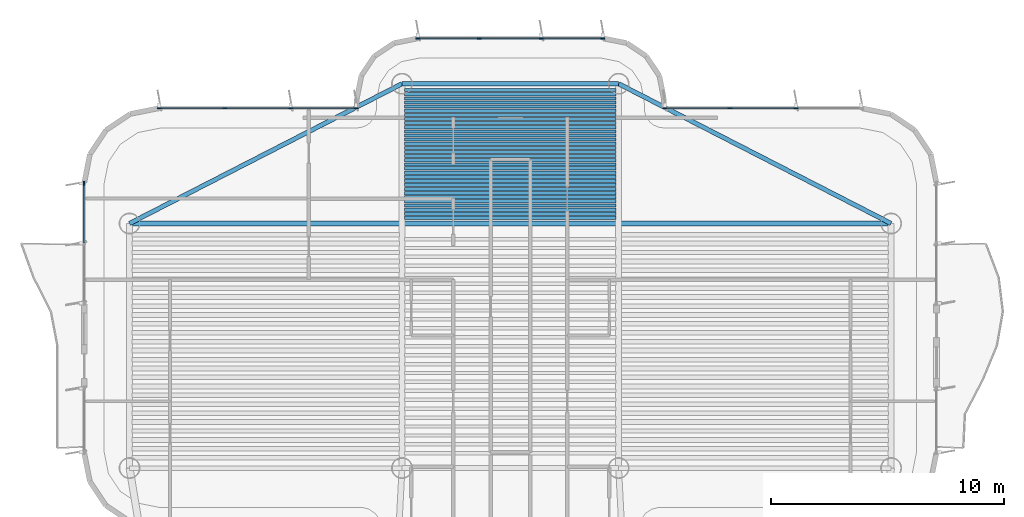
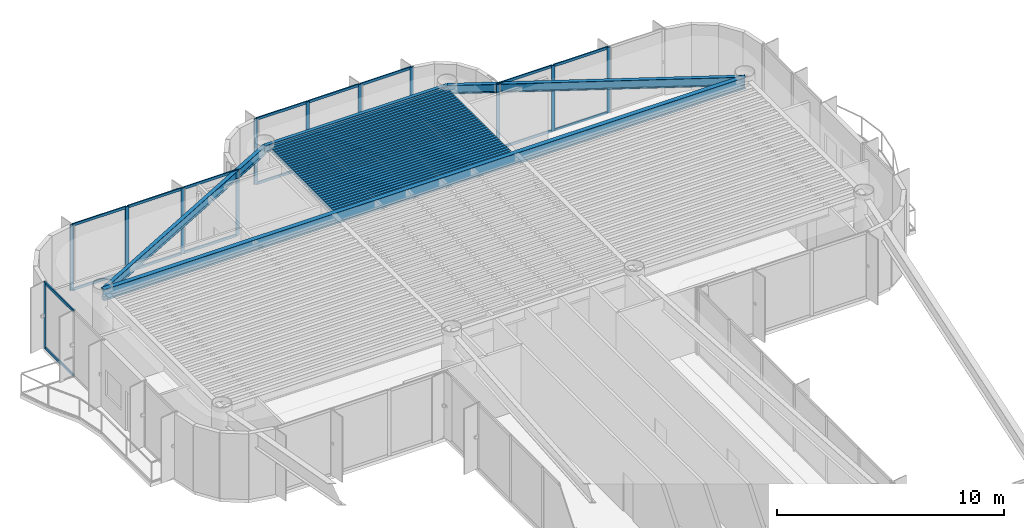
# One storey, part 7 of 15: 36 beams, 30 members, 4 elements without a shape of their own.
"""IFC4 building model written with IfcOpenShell, lengths in metres."""

from ifc_helpers import new_model, si_unit, direction, frame, origin, origin_2d, place, context, subcontext, project, spatial, rectangle, i_section, extrude, source, transform, mapped, material, layer, layer_set, material_profile, profile_set, type_object, element, aggregate, save


model = new_model("IFC4")

# Units and contexts
model_context = context("Model", 3, precision=1e-05, world=origin(), true_north=direction((0.0, 1.0)))
body_context = subcontext(model_context, "Body", "Model", "MODEL_VIEW")
ifc_project = project(units=[si_unit("LENGTHUNIT", "METRE"), si_unit("AREAUNIT", "SQUARE_METRE"), si_unit("VOLUMEUNIT", "CUBIC_METRE"), si_unit("PLANEANGLEUNIT", "RADIAN"), si_unit("MASSUNIT", "GRAM", prefix="KILO")], contexts=[model_context])

# Site, building, storey
site_placement = place(None, origin())
site = spatial("IfcSite", under=ifc_project, at=site_placement, CompositionType="ELEMENT")
building_placement = place(site_placement, origin())
building = spatial("IfcBuilding", under=site, at=building_placement, Name="Brelvock Crest Care Tower", CompositionType="ELEMENT")
storey_placement = place(building_placement, frame((0.0, 0.0, 272.159912109375)))
storey = spatial("IfcBuildingStorey", under=building, at=storey_placement, Name="L69", CompositionType="ELEMENT", Elevation=272.159912109375)

# Beams
ifc_material_1 = material(Name="Steel Grade 350", Category="steel")
ifc_material_profile_1 = material_profile(ifc_material_1, i_section(OverallWidth=0.177978515625, OverallDepth=0.406005859375, WebThickness=0.0078125, FlangeThickness=0.0126953125, FilletRadius=0.011474609375, at=origin_2d()), Name="410UB59.7")
ifc_profile_set_1 = profile_set([ifc_material_profile_1], Name="Steel Grade 350")
beam_type_1 = type_object("IfcBeamType", Name="BM-SP1", PredefinedType="SPANDREL", material=ifc_profile_set_1)
shared_shape_1 = source(origin(), body_context, "Body", "SweptSolid", [
    extrude(i_section(OverallWidth=0.177978515625, OverallDepth=0.406005859375, WebThickness=0.0078125, FlangeThickness=0.0126953125, FilletRadius=0.011474609375, at=origin_2d()), origin(), (0.0, 0.0, 1.0), 9.2998046875),
])
beam_1_placement = place(storey_placement, frame((31.35009765625, 60.449951171875, 3.3271484375), z_axis=(1.0, 0.0, 0.0), x_axis=(0.0, 1.0, 0.0)))
element("IfcBeam", 1, at=beam_1_placement, inside=storey, type_object=beam_type_1, Name="BM-TWR-L69-08", PredefinedType="SPANDREL", context=body_context, shape_type="MappedRepresentation", body=[
    mapped(shared_shape_1, transform((0.0, 0.0, 0.0), x_axis=(1.0, 0.0, 0.0), y_axis=(0.0, 1.0, 0.0), z_axis=(0.0, 0.0, 1.0), scale=1.0)),
])
ifc_material_profile_2 = material_profile(ifc_material_1, i_section(OverallWidth=0.14599609375, OverallDepth=0.256103515625, WebThickness=0.00634765625, FlangeThickness=0.010986328125, FilletRadius=0.0087890625, at=origin_2d()), Name="250UB37.3")
ifc_profile_set_2 = profile_set([ifc_material_profile_2], Name="Steel Grade 350")
beam_type_2 = type_object("IfcBeamType", Name="BM-J3", PredefinedType="JOIST", material=ifc_profile_set_2)
shared_shape_2 = source(origin(), body_context, "Body", "SweptSolid", [
    extrude(i_section(OverallWidth=0.14599609375, OverallDepth=0.256103515625, WebThickness=0.00634765625, FlangeThickness=0.010986328125, FilletRadius=0.0087890625, at=origin_2d()), origin(), (0.0, 0.0, 1.0), 9.06982421875),
])
for number, where, z_axis, x_axis, name in (
    (2, (31.465087890625, 54.68994140625, 3.402099609375), (1.0, 0.0, 0.0), (0.0, 1.0, 0.0), "BM-JN-L69-1"),
    (3, (31.465087890625, 54.866943359375, 3.402099609375), (1.0, 0.0, 0.0), (0.0, 1.0, 0.0), "BM-JN-L69-2"),
    (4, (31.465087890625, 55.0439453125, 3.402099609375), (1.0, 0.0, 0.0), (0.0, 1.0, 0.0), "BM-JN-L69-3"),
    (5, (31.465087890625, 55.220947265625, 3.402099609375), (1.0, 0.0, 0.0), (0.0, 1.0, 0.0), "BM-JN-L69-4"),
    (6, (31.465087890625, 55.39794921875, 3.402099609375), (1.0, 0.0, 0.0), (0.0, 1.0, 0.0), "BM-JN-L69-5"),
    (7, (31.465087890625, 55.574951171875, 3.402099609375), (1.0, 0.0, 0.0), (0.0, 1.0, 0.0), "BM-JN-L69-6"),
    (8, (31.465087890625, 55.751953125, 3.402099609375), (1.0, 0.0, 0.0), (0.0, 1.0, 0.0), "BM-JN-L69-7"),
    (9, (31.465087890625, 55.928955078125, 3.402099609375), (1.0, 0.0, 0.0), (0.0, 1.0, 0.0), "BM-JN-L69-8"),
    (10, (31.465087890625, 56.10595703125, 3.402099609375), (1.0, 0.0, 0.0), (0.0, 1.0, 0.0), "BM-JN-L69-9"),
    (11, (31.465087890625, 56.282958984375, 3.402099609375), (1.0, 0.0, 0.0), (0.0, 1.0, 0.0), "BM-JN-L69-10"),
    (12, (31.465087890625, 56.4599609375, 3.402099609375), (1.0, 0.0, 0.0), (0.0, 1.0, 0.0), "BM-JN-L69-11"),
    (13, (31.465087890625, 56.636962890625, 3.402099609375), (1.0, 0.0, 0.0), (0.0, 1.0, 0.0), "BM-JN-L69-12"),
    (14, (31.465087890625, 56.81396484375, 3.402099609375), (1.0, 0.0, 0.0), (0.0, 1.0, 0.0), "BM-JN-L69-13"),
):
    element("IfcBeam", number, at=place(storey_placement, frame(where, z_axis=z_axis, x_axis=x_axis)), inside=storey, type_object=beam_type_2, Name=name, PredefinedType="JOIST", context=body_context, shape_type="MappedRepresentation", body=[
        mapped(shared_shape_2, transform((0.0, 0.0, 0.0), x_axis=(1.0, 0.0, 0.0), y_axis=(0.0, 1.0, 0.0), z_axis=(0.0, 0.0, 1.0), scale=1.0)),
    ])
ifc_material_profile_3 = material_profile(ifc_material_1, i_section(OverallWidth=0.134033203125, OverallDepth=0.20703125, WebThickness=0.00634765625, FlangeThickness=0.009521484375, FilletRadius=0.0087890625, at=origin_2d()), Name="200UB29.8")
ifc_profile_set_3 = profile_set([ifc_material_profile_3], Name="Steel Grade 350")
beam_type_3 = type_object("IfcBeamType", Name="BM-J4", PredefinedType="JOIST", material=ifc_profile_set_3)
shared_shape_3 = source(origin(), body_context, "Body", "SweptSolid", [
    extrude(i_section(OverallWidth=0.134033203125, OverallDepth=0.20703125, WebThickness=0.00634765625, FlangeThickness=0.009521484375, FilletRadius=0.0087890625, at=origin_2d()), origin(), (0.0, 0.0, 1.0), 9.06982421875),
])
for number, where, z_axis, x_axis, name in (
    (15, (31.465087890625, 56.990966796875, 3.426513671875), (1.0, 0.0, 0.0), (0.0, 1.0, 0.0), "BM-JN-L69-14"),
    (16, (31.465087890625, 57.16796875, 3.426513671875), (1.0, 0.0, 0.0), (0.0, 1.0, 0.0), "BM-JN-L69-15"),
    (17, (31.465087890625, 57.344970703125, 3.426513671875), (1.0, 0.0, 0.0), (0.0, 1.0, 0.0), "BM-JN-L69-16"),
    (18, (31.465087890625, 57.52197265625, 3.426513671875), (1.0, 0.0, 0.0), (0.0, 1.0, 0.0), "BM-JN-L69-17"),
    (19, (31.465087890625, 57.698974609375, 3.426513671875), (1.0, 0.0, 0.0), (0.0, 1.0, 0.0), "BM-JN-L69-18"),
    (20, (31.465087890625, 57.8759765625, 3.426513671875), (1.0, 0.0, 0.0), (0.0, 1.0, 0.0), "BM-JN-L69-19"),
    (21, (31.465087890625, 58.052978515625, 3.426513671875), (1.0, 0.0, 0.0), (0.0, 1.0, 0.0), "BM-JN-L69-20"),
    (22, (31.465087890625, 58.22998046875, 3.426513671875), (1.0, 0.0, 0.0), (0.0, 1.0, 0.0), "BM-JN-L69-21"),
    (23, (31.465087890625, 58.406982421875, 3.426513671875), (1.0, 0.0, 0.0), (0.0, 1.0, 0.0), "BM-JN-L69-22"),
    (24, (31.465087890625, 58.583984375, 3.426513671875), (1.0, 0.0, 0.0), (0.0, 1.0, 0.0), "BM-JN-L69-23"),
    (25, (31.465087890625, 58.760986328125, 3.426513671875), (1.0, 0.0, 0.0), (0.0, 1.0, 0.0), "BM-JN-L69-24"),
    (26, (31.465087890625, 58.93798828125, 3.426513671875), (1.0, 0.0, 0.0), (0.0, 1.0, 0.0), "BM-JN-L69-25"),
    (27, (31.465087890625, 59.114990234375, 3.426513671875), (1.0, 0.0, 0.0), (0.0, 1.0, 0.0), "BM-JN-L69-26"),
    (28, (31.465087890625, 59.2919921875, 3.426513671875), (1.0, 0.0, 0.0), (0.0, 1.0, 0.0), "BM-JN-L69-27"),
    (29, (31.465087890625, 59.468994140625, 3.426513671875), (1.0, 0.0, 0.0), (0.0, 1.0, 0.0), "BM-JN-L69-28"),
    (30, (31.465087890625, 59.64599609375, 3.426513671875), (1.0, 0.0, 0.0), (0.0, 1.0, 0.0), "BM-JN-L69-29"),
    (31, (31.465087890625, 59.822998046875, 3.426513671875), (1.0, 0.0, 0.0), (0.0, 1.0, 0.0), "BM-JN-L69-30"),
    (32, (31.465087890625, 60.0, 3.426513671875), (1.0, 0.0, 0.0), (0.0, 1.0, 0.0), "BM-JN-L69-31"),
    (33, (31.465087890625, 60.177001953125, 3.426513671875), (1.0, 0.0, 0.0), (0.0, 1.0, 0.0), "BM-JN-L69-32"),
):
    element("IfcBeam", number, at=place(storey_placement, frame(where, z_axis=z_axis, x_axis=x_axis)), inside=storey, type_object=beam_type_3, Name=name, PredefinedType="JOIST", context=body_context, shape_type="MappedRepresentation", body=[
        mapped(shared_shape_3, transform((0.0, 0.0, 0.0), x_axis=(1.0, 0.0, 0.0), y_axis=(0.0, 1.0, 0.0), z_axis=(0.0, 0.0, 1.0), scale=1.0)),
    ])
ifc_material_profile_4 = material_profile(ifc_material_1, i_section(OverallWidth=0.19091796875, OverallDepth=0.4599609375, WebThickness=0.010009765625, FlangeThickness=0.01611328125, FilletRadius=0.011474609375, at=origin_2d()), Name="460UB82.1")
ifc_profile_set_4 = profile_set([ifc_material_profile_4], Name="Steel Grade 350")
beam_type_4 = type_object("IfcBeamType", Name="BM-SP2", PredefinedType="SPANDREL", material=ifc_profile_set_4)
shared_shape_4 = source(origin(), body_context, "Body", "SweptSolid", [
    extrude(i_section(OverallWidth=0.19091796875, OverallDepth=0.4599609375, WebThickness=0.010009765625, FlangeThickness=0.01611328125, FilletRadius=0.011474609375, at=origin_2d()), origin(), (0.0, 0.0, 1.0), 13.14892578125),
])
for number, where, z_axis, x_axis, name in (
    (34, (19.64990234375, 54.449951171875, 3.300048828125), (0.889820555736, 0.456310616346, 0.0), (-0.456310616346, 0.889820555736, 0.0), "BM-TWR-L69-06"),
    (35, (40.64990234375, 60.449951171875, 3.300048828125), (0.889820555736, -0.456310616346, 0.0), (0.456310616346, 0.889820555736, 0.0), "BM-TWR-L69-07"),
):
    element("IfcBeam", number, at=place(storey_placement, frame(where, z_axis=z_axis, x_axis=x_axis)), inside=storey, type_object=beam_type_4, Name=name, PredefinedType="SPANDREL", context=body_context, shape_type="MappedRepresentation", body=[
        mapped(shared_shape_4, transform((0.0, 0.0, 0.0), x_axis=(1.0, 0.0, 0.0), y_axis=(0.0, 1.0, 0.0), z_axis=(0.0, 0.0, 1.0), scale=1.0)),
    ])
ifc_material_profile_5 = material_profile(ifc_material_1, i_section(OverallWidth=0.22900390625, OverallDepth=0.612060546875, WebThickness=0.011962890625, FlangeThickness=0.01953125, FilletRadius=0.013916015625, at=origin_2d()), Name="610UB125")
ifc_profile_set_5 = profile_set([ifc_material_profile_5], Name="Steel Grade 350")
beam_type_5 = type_object("IfcBeamType", Name="BM-G1", PredefinedType="BEAM", material=ifc_profile_set_5)
shared_shape_5 = source(origin(), body_context, "Body", "SweptSolid", [
    extrude(i_section(OverallWidth=0.22900390625, OverallDepth=0.612060546875, WebThickness=0.011962890625, FlangeThickness=0.01953125, FilletRadius=0.013916015625, at=origin_2d()), origin(), (0.0, 0.0, 1.0), 32.7001953125),
])
beam_2_placement = place(storey_placement, frame((19.64990234375, 54.449951171875, 3.22412109375), z_axis=(1.0, 0.0, 0.0), x_axis=(0.0, 1.0, 0.0)))
element("IfcBeam", 36, at=beam_2_placement, inside=storey, type_object=beam_type_5, Name="BM-TWR-L69-11", PredefinedType="BEAM", context=body_context, shape_type="MappedRepresentation", body=[
    mapped(shared_shape_5, transform((0.0, 0.0, 0.0), x_axis=(1.0, 0.0, 0.0), y_axis=(0.0, 1.0, 0.0), z_axis=(0.0, 0.0, 1.0), scale=1.0)),
])

# Curtain wall, member
ifc_material_2 = material(Name="Dark Glass Double Glazed Low-E", Category="glass")
ifc_layer = layer(ifc_material_2, 0.239990234375, Name="CWS-5")
ifc_layer_set = layer_set([ifc_layer], Name="Dark Glass Double Glazed Low-E")
curtain_wall_type = type_object("IfcCurtainWallType", Name="CWS-5", PredefinedType="NOTDEFINED", material=ifc_layer_set)
curtain_wall_1_placement = place(storey_placement, origin())
curtain_wall_1 = element("IfcCurtainWall", 37, at=curtain_wall_1_placement, inside=storey, type_object=curtain_wall_type, Name="L69 Curtain Wall E17B", PredefinedType="NOTDEFINED")
ifc_material_3 = material(Name="Aluminium 6063-T6", Category="aluminium")
ifc_material_profile_6 = material_profile(ifc_material_3, rectangle(XDim=0.06005859375, YDim=0.179931640625, at=origin_2d()), Name="ALU60x180")
ifc_profile_set_6 = profile_set([ifc_material_profile_6], Name="Aluminium 6063-T6")
member_type_1 = type_object("IfcMemberType", Name="CWM-2", PredefinedType="MULLION", material=ifc_profile_set_6)
shared_shape_6 = source(origin(), body_context, "Body", "SweptSolid", [
    extrude(rectangle(XDim=0.06005859375, YDim=0.179931640625, at=origin_2d()), origin(), (0.0, 0.0, 1.0), 3.530029296875),
])
member_1_placement = place(storey_placement, frame((17.699951171875, 56.169921875, 0.0), z_axis=(0.0, 0.0, 1.0), x_axis=(-1.0, 0.0, 0.0)))
member_1 = element("IfcMember", 38, at=member_1_placement, type_object=member_type_1, Name="CW-5 mullion 3", PredefinedType="MULLION", context=body_context, shape_type="MappedRepresentation", body=[
    mapped(shared_shape_6, transform((0.0, 0.0, 0.0), x_axis=(1.0, 0.0, 0.0), y_axis=(0.0, 1.0, 0.0), z_axis=(0.0, 0.0, 1.0), scale=1.0)),
])

# Curtain wall, members
curtain_wall_2_placement = place(storey_placement, origin())
curtain_wall_2 = element("IfcCurtainWall", 39, at=curtain_wall_2_placement, inside=storey, type_object=curtain_wall_type, Name="L69 Curtain Wall E22", PredefinedType="NOTDEFINED")
member_2_placement = place(storey_placement, frame((20.929931640625, 59.39990234375, 0.0), z_axis=(0.0, 0.0, 1.0), x_axis=(0.0, 1.0, 0.0)))
member_2 = element("IfcMember", 40, at=member_2_placement, type_object=member_type_1, Name="CW-5 mullion 1", PredefinedType="MULLION", context=body_context, shape_type="MappedRepresentation", body=[
    mapped(shared_shape_6, transform((0.0, 0.0, 0.0), x_axis=(1.0, 0.0, 0.0), y_axis=(0.0, 1.0, 0.0), z_axis=(0.0, 0.0, 1.0), scale=1.0)),
])
member_3_placement = place(storey_placement, frame((23.7333984375, 59.39990234375, 0.0), z_axis=(0.0, 0.0, 1.0), x_axis=(0.0, 1.0, 0.0)))
member_3 = element("IfcMember", 41, at=member_3_placement, type_object=member_type_1, Name="CW-5 mullion 2", PredefinedType="MULLION", context=body_context, shape_type="MappedRepresentation", body=[
    mapped(shared_shape_6, transform((0.0, 0.0, 0.0), x_axis=(1.0, 0.0, 0.0), y_axis=(0.0, 1.0, 0.0), z_axis=(0.0, 0.0, 1.0), scale=1.0)),
])
member_4_placement = place(storey_placement, frame((26.566650390625, 59.39990234375, 0.0), z_axis=(0.0, 0.0, 1.0), x_axis=(0.0, 1.0, 0.0)))
member_4 = element("IfcMember", 42, at=member_4_placement, type_object=member_type_1, Name="CW-5 mullion 3", PredefinedType="MULLION", context=body_context, shape_type="MappedRepresentation", body=[
    mapped(shared_shape_6, transform((0.0, 0.0, 0.0), x_axis=(1.0, 0.0, 0.0), y_axis=(0.0, 1.0, 0.0), z_axis=(0.0, 0.0, 1.0), scale=1.0)),
])
member_5_placement = place(storey_placement, frame((29.3701171875, 59.39990234375, 0.0), z_axis=(0.0, 0.0, 1.0), x_axis=(0.0, 1.0, 0.0)))
member_5 = element("IfcMember", 43, at=member_5_placement, type_object=member_type_1, Name="CW-5 mullion 4", PredefinedType="MULLION", context=body_context, shape_type="MappedRepresentation", body=[
    mapped(shared_shape_6, transform((0.0, 0.0, 0.0), x_axis=(1.0, 0.0, 0.0), y_axis=(0.0, 1.0, 0.0), z_axis=(0.0, 0.0, 1.0), scale=1.0)),
])

curtain_wall_3_placement = place(storey_placement, origin())
curtain_wall_3 = element("IfcCurtainWall", 44, at=curtain_wall_3_placement, inside=storey, type_object=curtain_wall_type, Name="L69 Curtain Wall E28", PredefinedType="NOTDEFINED")
member_6_placement = place(storey_placement, frame((32.030029296875, 62.39990234375, 0.0), z_axis=(0.0, 0.0, 1.0), x_axis=(0.0, 1.0, 0.0)))
member_6 = element("IfcMember", 45, at=member_6_placement, type_object=member_type_1, Name="CW-5 mullion 1", PredefinedType="MULLION", context=body_context, shape_type="MappedRepresentation", body=[
    mapped(shared_shape_6, transform((0.0, 0.0, 0.0), x_axis=(1.0, 0.0, 0.0), y_axis=(0.0, 1.0, 0.0), z_axis=(0.0, 0.0, 1.0), scale=1.0)),
])
member_7_placement = place(storey_placement, frame((34.666748046875, 62.39990234375, 0.0), z_axis=(0.0, 0.0, 1.0), x_axis=(0.0, 1.0, 0.0)))
member_7 = element("IfcMember", 46, at=member_7_placement, type_object=member_type_1, Name="CW-5 mullion 2", PredefinedType="MULLION", context=body_context, shape_type="MappedRepresentation", body=[
    mapped(shared_shape_6, transform((0.0, 0.0, 0.0), x_axis=(1.0, 0.0, 0.0), y_axis=(0.0, 1.0, 0.0), z_axis=(0.0, 0.0, 1.0), scale=1.0)),
])
member_8_placement = place(storey_placement, frame((37.333251953125, 62.39990234375, 0.0), z_axis=(0.0, 0.0, 1.0), x_axis=(0.0, 1.0, 0.0)))
member_8 = element("IfcMember", 47, at=member_8_placement, type_object=member_type_1, Name="CW-5 mullion 3", PredefinedType="MULLION", context=body_context, shape_type="MappedRepresentation", body=[
    mapped(shared_shape_6, transform((0.0, 0.0, 0.0), x_axis=(1.0, 0.0, 0.0), y_axis=(0.0, 1.0, 0.0), z_axis=(0.0, 0.0, 1.0), scale=1.0)),
])
member_9_placement = place(storey_placement, frame((39.969970703125, 62.39990234375, 0.0), z_axis=(0.0, 0.0, 1.0), x_axis=(0.0, 1.0, 0.0)))
member_9 = element("IfcMember", 48, at=member_9_placement, type_object=member_type_1, Name="CW-5 mullion 4", PredefinedType="MULLION", context=body_context, shape_type="MappedRepresentation", body=[
    mapped(shared_shape_6, transform((0.0, 0.0, 0.0), x_axis=(1.0, 0.0, 0.0), y_axis=(0.0, 1.0, 0.0), z_axis=(0.0, 0.0, 1.0), scale=1.0)),
])

curtain_wall_4_placement = place(storey_placement, origin())
curtain_wall_4 = element("IfcCurtainWall", 49, at=curtain_wall_4_placement, inside=storey, type_object=curtain_wall_type, Name="L69 Curtain Wall E34", PredefinedType="NOTDEFINED")
member_10_placement = place(storey_placement, frame((42.6298828125, 59.39990234375, 0.0), z_axis=(0.0, 0.0, 1.0), x_axis=(0.0, 1.0, 0.0)))
member_10 = element("IfcMember", 50, at=member_10_placement, type_object=member_type_1, Name="CW-5 mullion 1", PredefinedType="MULLION", context=body_context, shape_type="MappedRepresentation", body=[
    mapped(shared_shape_6, transform((0.0, 0.0, 0.0), x_axis=(1.0, 0.0, 0.0), y_axis=(0.0, 1.0, 0.0), z_axis=(0.0, 0.0, 1.0), scale=1.0)),
])
member_11_placement = place(storey_placement, frame((45.433349609375, 59.39990234375, 0.0), z_axis=(0.0, 0.0, 1.0), x_axis=(0.0, 1.0, 0.0)))
member_11 = element("IfcMember", 51, at=member_11_placement, type_object=member_type_1, Name="CW-5 mullion 2", PredefinedType="MULLION", context=body_context, shape_type="MappedRepresentation", body=[
    mapped(shared_shape_6, transform((0.0, 0.0, 0.0), x_axis=(1.0, 0.0, 0.0), y_axis=(0.0, 1.0, 0.0), z_axis=(0.0, 0.0, 1.0), scale=1.0)),
])
member_12_placement = place(storey_placement, frame((48.2666015625, 59.39990234375, 0.0), z_axis=(0.0, 0.0, 1.0), x_axis=(0.0, 1.0, 0.0)))
member_12 = element("IfcMember", 52, at=member_12_placement, type_object=member_type_1, Name="CW-5 mullion 3", PredefinedType="MULLION", context=body_context, shape_type="MappedRepresentation", body=[
    mapped(shared_shape_6, transform((0.0, 0.0, 0.0), x_axis=(1.0, 0.0, 0.0), y_axis=(0.0, 1.0, 0.0), z_axis=(0.0, 0.0, 1.0), scale=1.0)),
])

# Member
ifc_material_profile_7 = material_profile(ifc_material_3, rectangle(XDim=0.06005859375, YDim=0.139892578125, at=origin_2d()), Name="ALU60x140")
ifc_profile_set_7 = profile_set([ifc_material_profile_7], Name="Aluminium 6063-T6")
member_type_2 = type_object("IfcMemberType", Name="CWT-2", PredefinedType="USERDEFINED", material=ifc_profile_set_7)
shared_shape_7 = source(origin(), body_context, "Body", "SweptSolid", [
    extrude(rectangle(XDim=0.06005859375, YDim=0.139892578125, at=origin_2d()), origin(), (0.0, 0.0, 1.0), 2.57666015625),
])
member_13_placement = place(storey_placement, frame((32.06005859375, 62.39990234375, 0.030029296875), z_axis=(1.0, 0.0, 0.0), x_axis=(0.0, 1.0, 0.0)))
member_13 = element("IfcMember", 53, at=member_13_placement, type_object=member_type_2, Name="CW-5 transom 1.1", ObjectType="TRANSOM", PredefinedType="USERDEFINED", context=body_context, shape_type="MappedRepresentation", body=[
    mapped(shared_shape_7, transform((0.0, 0.0, 0.0), x_axis=(1.0, 0.0, 0.0), y_axis=(0.0, 1.0, 0.0), z_axis=(0.0, 0.0, 1.0), scale=1.0)),
])

member_14_placement = place(storey_placement, frame((32.06005859375, 62.39990234375, 3.5), z_axis=(1.0, 0.0, 0.0), x_axis=(0.0, 1.0, 0.0)))
member_14 = element("IfcMember", 54, at=member_14_placement, type_object=member_type_2, Name="CW-5 transom 1.2", ObjectType="TRANSOM", PredefinedType="USERDEFINED", context=body_context, shape_type="MappedRepresentation", body=[
    mapped(shared_shape_7, transform((0.0, 0.0, 0.0), x_axis=(1.0, 0.0, 0.0), y_axis=(0.0, 1.0, 0.0), z_axis=(0.0, 0.0, 1.0), scale=1.0)),
])

member_15_placement = place(storey_placement, frame((37.36328125, 62.39990234375, 0.030029296875), z_axis=(1.0, 0.0, 0.0), x_axis=(0.0, 1.0, 0.0)))
member_15 = element("IfcMember", 55, at=member_15_placement, type_object=member_type_2, Name="CW-5 transom 3.1", ObjectType="TRANSOM", PredefinedType="USERDEFINED", context=body_context, shape_type="MappedRepresentation", body=[
    mapped(shared_shape_7, transform((0.0, 0.0, 0.0), x_axis=(1.0, 0.0, 0.0), y_axis=(0.0, 1.0, 0.0), z_axis=(0.0, 0.0, 1.0), scale=1.0)),
])

member_16_placement = place(storey_placement, frame((37.36328125, 62.39990234375, 3.5), z_axis=(1.0, 0.0, 0.0), x_axis=(0.0, 1.0, 0.0)))
member_16 = element("IfcMember", 56, at=member_16_placement, type_object=member_type_2, Name="CW-5 transom 3.2", ObjectType="TRANSOM", PredefinedType="USERDEFINED", context=body_context, shape_type="MappedRepresentation", body=[
    mapped(shared_shape_7, transform((0.0, 0.0, 0.0), x_axis=(1.0, 0.0, 0.0), y_axis=(0.0, 1.0, 0.0), z_axis=(0.0, 0.0, 1.0), scale=1.0)),
])

shared_shape_8 = source(origin(), body_context, "Body", "SweptSolid", [
    extrude(rectangle(XDim=0.06005859375, YDim=0.139892578125, at=origin_2d()), origin(), (0.0, 0.0, 1.0), 2.510009765625),
])
member_17_placement = place(storey_placement, frame((17.699951171875, 53.6298828125, 0.030029296875), z_axis=(0.0, 1.0, 0.0), x_axis=(-1.0, 0.0, 0.0)))
member_17 = element("IfcMember", 57, at=member_17_placement, type_object=member_type_2, Name="CW-5 transom 2.1", ObjectType="TRANSOM", PredefinedType="USERDEFINED", context=body_context, shape_type="MappedRepresentation", body=[
    mapped(shared_shape_8, transform((0.0, 0.0, 0.0), x_axis=(1.0, 0.0, 0.0), y_axis=(0.0, 1.0, 0.0), z_axis=(0.0, 0.0, 1.0), scale=1.0)),
])

member_18_placement = place(storey_placement, frame((17.699951171875, 53.6298828125, 3.5), z_axis=(0.0, 1.0, 0.0), x_axis=(-1.0, 0.0, 0.0)))
member_18 = element("IfcMember", 58, at=member_18_placement, type_object=member_type_2, Name="CW-5 transom 2.2", ObjectType="TRANSOM", PredefinedType="USERDEFINED", context=body_context, shape_type="MappedRepresentation", body=[
    mapped(shared_shape_8, transform((0.0, 0.0, 0.0), x_axis=(1.0, 0.0, 0.0), y_axis=(0.0, 1.0, 0.0), z_axis=(0.0, 0.0, 1.0), scale=1.0)),
])

aggregate(curtain_wall_1, [member_1, member_17, member_18])

shared_shape_9 = source(origin(), body_context, "Body", "SweptSolid", [
    extrude(rectangle(XDim=0.06005859375, YDim=0.139892578125, at=origin_2d()), origin(), (0.0, 0.0, 1.0), 2.743408203125),
])
member_19_placement = place(storey_placement, frame((20.9599609375, 59.39990234375, 0.030029296875), z_axis=(1.0, 0.0, 0.0), x_axis=(0.0, 1.0, 0.0)))
member_19 = element("IfcMember", 59, at=member_19_placement, type_object=member_type_2, Name="CW-5 transom 1.1", ObjectType="TRANSOM", PredefinedType="USERDEFINED", context=body_context, shape_type="MappedRepresentation", body=[
    mapped(shared_shape_9, transform((0.0, 0.0, 0.0), x_axis=(1.0, 0.0, 0.0), y_axis=(0.0, 1.0, 0.0), z_axis=(0.0, 0.0, 1.0), scale=1.0)),
])

member_20_placement = place(storey_placement, frame((20.9599609375, 59.39990234375, 3.5), z_axis=(1.0, 0.0, 0.0), x_axis=(0.0, 1.0, 0.0)))
member_20 = element("IfcMember", 60, at=member_20_placement, type_object=member_type_2, Name="CW-5 transom 1.2", ObjectType="TRANSOM", PredefinedType="USERDEFINED", context=body_context, shape_type="MappedRepresentation", body=[
    mapped(shared_shape_9, transform((0.0, 0.0, 0.0), x_axis=(1.0, 0.0, 0.0), y_axis=(0.0, 1.0, 0.0), z_axis=(0.0, 0.0, 1.0), scale=1.0)),
])

member_21_placement = place(storey_placement, frame((26.5966796875, 59.39990234375, 0.030029296875), z_axis=(1.0, 0.0, 0.0), x_axis=(0.0, 1.0, 0.0)))
member_21 = element("IfcMember", 61, at=member_21_placement, type_object=member_type_2, Name="CW-5 transom 3.1", ObjectType="TRANSOM", PredefinedType="USERDEFINED", context=body_context, shape_type="MappedRepresentation", body=[
    mapped(shared_shape_9, transform((0.0, 0.0, 0.0), x_axis=(1.0, 0.0, 0.0), y_axis=(0.0, 1.0, 0.0), z_axis=(0.0, 0.0, 1.0), scale=1.0)),
])

member_22_placement = place(storey_placement, frame((26.5966796875, 59.39990234375, 3.5), z_axis=(1.0, 0.0, 0.0), x_axis=(0.0, 1.0, 0.0)))
member_22 = element("IfcMember", 62, at=member_22_placement, type_object=member_type_2, Name="CW-5 transom 3.2", ObjectType="TRANSOM", PredefinedType="USERDEFINED", context=body_context, shape_type="MappedRepresentation", body=[
    mapped(shared_shape_9, transform((0.0, 0.0, 0.0), x_axis=(1.0, 0.0, 0.0), y_axis=(0.0, 1.0, 0.0), z_axis=(0.0, 0.0, 1.0), scale=1.0)),
])

member_23_placement = place(storey_placement, frame((42.659912109375, 59.39990234375, 0.030029296875), z_axis=(1.0, 0.0, 0.0), x_axis=(0.0, 1.0, 0.0)))
member_23 = element("IfcMember", 63, at=member_23_placement, type_object=member_type_2, Name="CW-5 transom 1.1", ObjectType="TRANSOM", PredefinedType="USERDEFINED", context=body_context, shape_type="MappedRepresentation", body=[
    mapped(shared_shape_9, transform((0.0, 0.0, 0.0), x_axis=(1.0, 0.0, 0.0), y_axis=(0.0, 1.0, 0.0), z_axis=(0.0, 0.0, 1.0), scale=1.0)),
])

member_24_placement = place(storey_placement, frame((42.659912109375, 59.39990234375, 3.5), z_axis=(1.0, 0.0, 0.0), x_axis=(0.0, 1.0, 0.0)))
member_24 = element("IfcMember", 64, at=member_24_placement, type_object=member_type_2, Name="CW-5 transom 1.2", ObjectType="TRANSOM", PredefinedType="USERDEFINED", context=body_context, shape_type="MappedRepresentation", body=[
    mapped(shared_shape_9, transform((0.0, 0.0, 0.0), x_axis=(1.0, 0.0, 0.0), y_axis=(0.0, 1.0, 0.0), z_axis=(0.0, 0.0, 1.0), scale=1.0)),
])

shared_shape_10 = source(origin(), body_context, "Body", "SweptSolid", [
    extrude(rectangle(XDim=0.06005859375, YDim=0.139892578125, at=origin_2d()), origin(), (0.0, 0.0, 1.0), 2.773193359375),
])
member_25_placement = place(storey_placement, frame((23.763427734375, 59.39990234375, 0.030029296875), z_axis=(1.0, 0.0, 0.0), x_axis=(0.0, 1.0, 0.0)))
member_25 = element("IfcMember", 65, at=member_25_placement, type_object=member_type_2, Name="CW-5 transom 2.1", ObjectType="TRANSOM", PredefinedType="USERDEFINED", context=body_context, shape_type="MappedRepresentation", body=[
    mapped(shared_shape_10, transform((0.0, 0.0, 0.0), x_axis=(1.0, 0.0, 0.0), y_axis=(0.0, 1.0, 0.0), z_axis=(0.0, 0.0, 1.0), scale=1.0)),
])

member_26_placement = place(storey_placement, frame((23.763427734375, 59.39990234375, 3.5), z_axis=(1.0, 0.0, 0.0), x_axis=(0.0, 1.0, 0.0)))
member_26 = element("IfcMember", 66, at=member_26_placement, type_object=member_type_2, Name="CW-5 transom 2.2", ObjectType="TRANSOM", PredefinedType="USERDEFINED", context=body_context, shape_type="MappedRepresentation", body=[
    mapped(shared_shape_10, transform((0.0, 0.0, 0.0), x_axis=(1.0, 0.0, 0.0), y_axis=(0.0, 1.0, 0.0), z_axis=(0.0, 0.0, 1.0), scale=1.0)),
])

aggregate(curtain_wall_2, [member_2, member_3, member_4, member_5, member_19, member_20, member_25, member_26, member_21, member_22])

member_27_placement = place(storey_placement, frame((45.46337890625, 59.39990234375, 0.030029296875), z_axis=(1.0, 0.0, 0.0), x_axis=(0.0, 1.0, 0.0)))
member_27 = element("IfcMember", 67, at=member_27_placement, type_object=member_type_2, Name="CW-5 transom 2.1", ObjectType="TRANSOM", PredefinedType="USERDEFINED", context=body_context, shape_type="MappedRepresentation", body=[
    mapped(shared_shape_10, transform((0.0, 0.0, 0.0), x_axis=(1.0, 0.0, 0.0), y_axis=(0.0, 1.0, 0.0), z_axis=(0.0, 0.0, 1.0), scale=1.0)),
])

member_28_placement = place(storey_placement, frame((45.46337890625, 59.39990234375, 3.5), z_axis=(1.0, 0.0, 0.0), x_axis=(0.0, 1.0, 0.0)))
member_28 = element("IfcMember", 68, at=member_28_placement, type_object=member_type_2, Name="CW-5 transom 2.2", ObjectType="TRANSOM", PredefinedType="USERDEFINED", context=body_context, shape_type="MappedRepresentation", body=[
    mapped(shared_shape_10, transform((0.0, 0.0, 0.0), x_axis=(1.0, 0.0, 0.0), y_axis=(0.0, 1.0, 0.0), z_axis=(0.0, 0.0, 1.0), scale=1.0)),
])

aggregate(curtain_wall_4, [member_10, member_11, member_12, member_23, member_24, member_27, member_28])

shared_shape_11 = source(origin(), body_context, "Body", "SweptSolid", [
    extrude(rectangle(XDim=0.06005859375, YDim=0.139892578125, at=origin_2d()), origin(), (0.0, 0.0, 1.0), 2.6064453125),
])
member_29_placement = place(storey_placement, frame((34.69677734375, 62.39990234375, 0.030029296875), z_axis=(1.0, 0.0, 0.0), x_axis=(0.0, 1.0, 0.0)))
member_29 = element("IfcMember", 69, at=member_29_placement, type_object=member_type_2, Name="CW-5 transom 2.1", ObjectType="TRANSOM", PredefinedType="USERDEFINED", context=body_context, shape_type="MappedRepresentation", body=[
    mapped(shared_shape_11, transform((0.0, 0.0, 0.0), x_axis=(1.0, 0.0, 0.0), y_axis=(0.0, 1.0, 0.0), z_axis=(0.0, 0.0, 1.0), scale=1.0)),
])

member_30_placement = place(storey_placement, frame((34.69677734375, 62.39990234375, 3.5), z_axis=(1.0, 0.0, 0.0), x_axis=(0.0, 1.0, 0.0)))
member_30 = element("IfcMember", 70, at=member_30_placement, type_object=member_type_2, Name="CW-5 transom 2.2", ObjectType="TRANSOM", PredefinedType="USERDEFINED", context=body_context, shape_type="MappedRepresentation", body=[
    mapped(shared_shape_11, transform((0.0, 0.0, 0.0), x_axis=(1.0, 0.0, 0.0), y_axis=(0.0, 1.0, 0.0), z_axis=(0.0, 0.0, 1.0), scale=1.0)),
])

aggregate(curtain_wall_3, [member_6, member_7, member_8, member_9, member_13, member_14, member_29, member_30, member_15, member_16])

save(model, "model.ifc")
